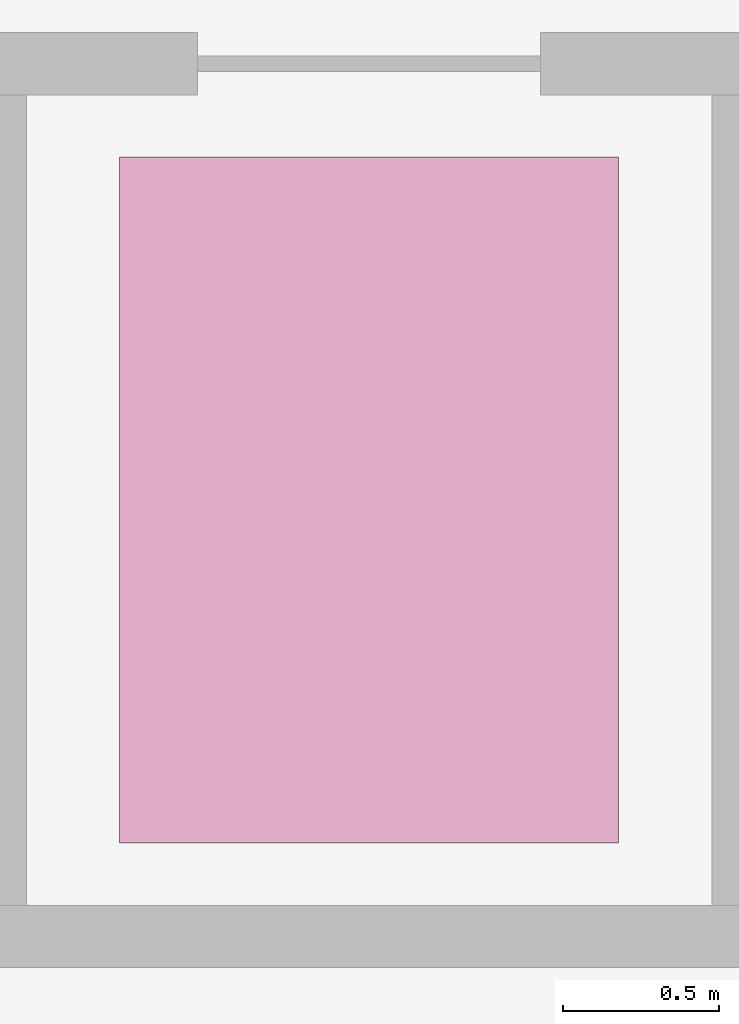
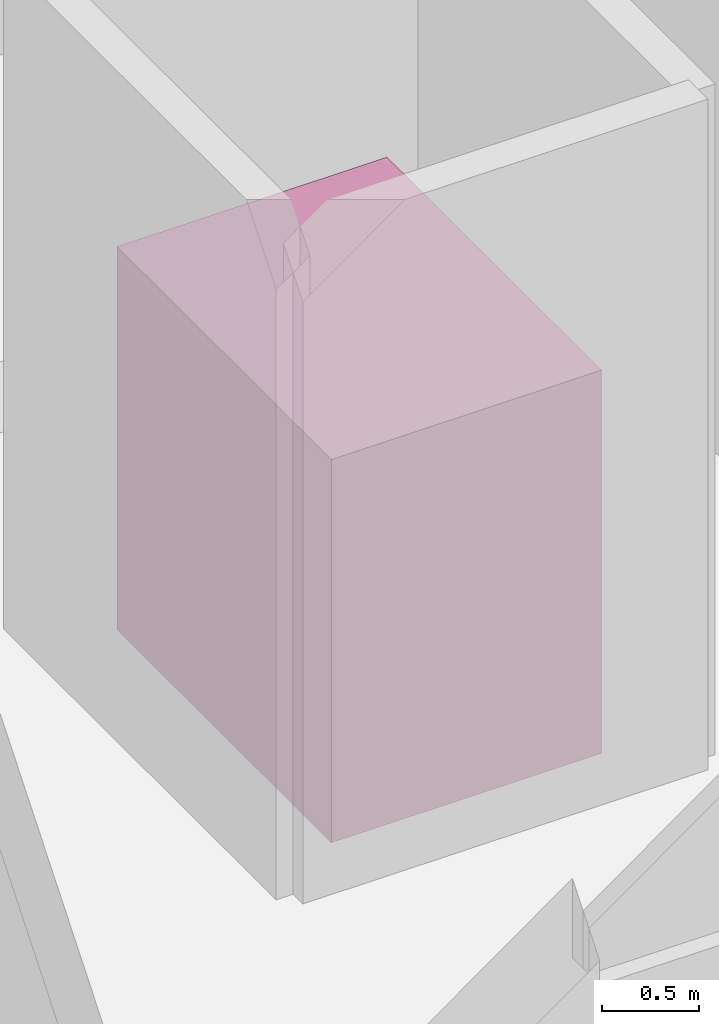
# One storey, part 69 of 69: 1 transport element.
"""IFC4 building model written with IfcOpenShell, lengths in metres."""

from ifc_helpers import new_model, si_unit, direction, frame, origin, origin_2d, place, context, subcontext, project, spatial, rectangle, extrude, material, type_object, element, save


model = new_model("IFC4")

# Units and contexts
model_context = context("Model", 3, precision=1e-05, world=origin(), true_north=direction((0.0, 1.0)))
body_context = subcontext(model_context, "Body", "Model", "MODEL_VIEW")
ifc_project = project(units=[si_unit("LENGTHUNIT", "METRE"), si_unit("AREAUNIT", "SQUARE_METRE"), si_unit("VOLUMEUNIT", "CUBIC_METRE"), si_unit("PLANEANGLEUNIT", "RADIAN"), si_unit("MASSUNIT", "GRAM", prefix="KILO")], contexts=[model_context])

# Site, building, storey
site_placement = place(None, origin())
site = spatial("IfcSite", under=ifc_project, at=site_placement, CompositionType="ELEMENT")
building_placement = place(site_placement, origin())
building = spatial("IfcBuilding", under=site, at=building_placement, Name="Ciguamira Faculty of Natural Sciences", CompositionType="ELEMENT")
storey_placement = place(building_placement, origin())
storey = spatial("IfcBuildingStorey", under=building, at=storey_placement, Name="L00", CompositionType="ELEMENT", Elevation=0.0)

# Transport element
ifc_material = material(Name="Stainless steel elevator cab", Category="steel")
transport_element_type = type_object("IfcTransportElementType", Name="ElevatorCar_ELV-PA", PredefinedType="ELEVATOR", material=ifc_material)
transport_element_placement = place(storey_placement, frame((20.800048828125, 6.800048828125, 0.0), z_axis=(0.0, 0.0, 1.0), x_axis=(1.0, 0.0, 0.0)))
element("IfcTransportElement", 1, at=transport_element_placement, inside=storey, type_object=transport_element_type, Name="Commons Passenger Lift EL-P2", PredefinedType="ELEVATOR", context=body_context, shape_type="SweptSolid", body=[
    extrude(rectangle(XDim=1.60009765625, YDim=2.199951171875, at=origin_2d()), origin(), (0.0, 0.0, 1.0), 2.39990234375),
])

save(model, "model.ifc")
